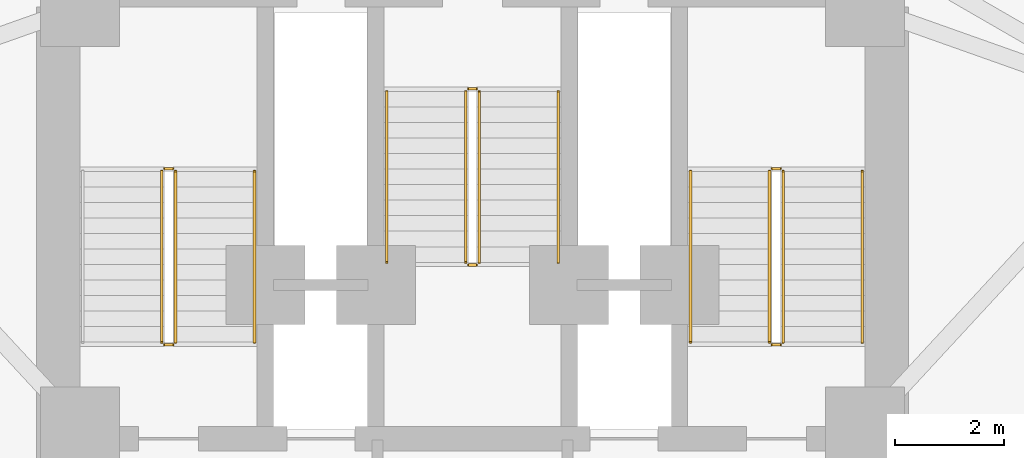
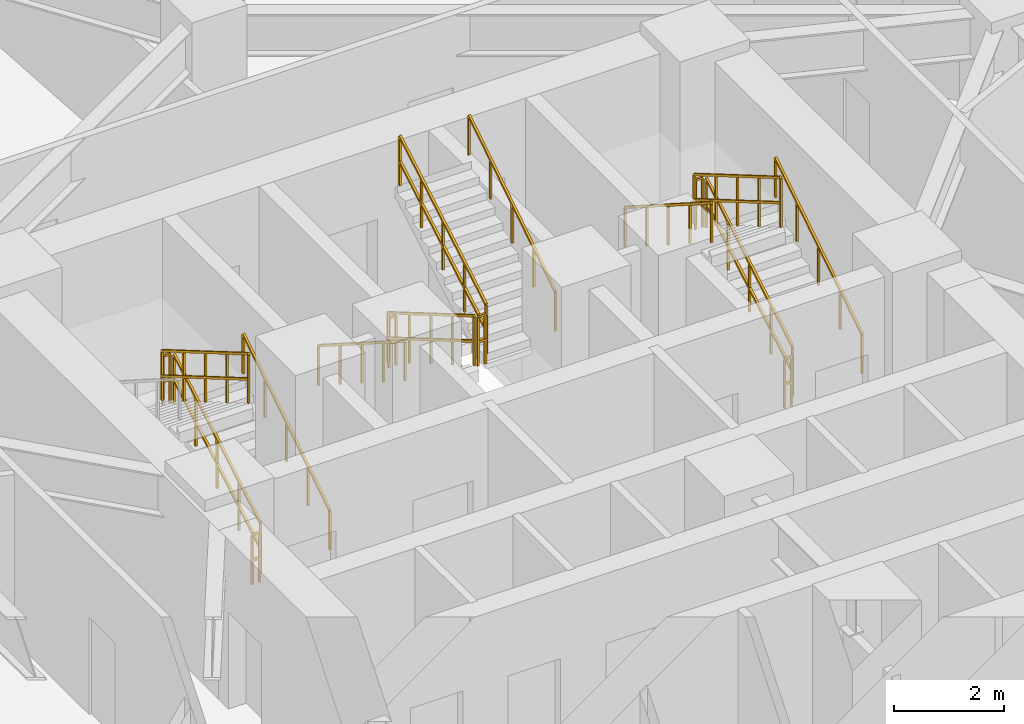
# One storey, part 9 of 10: 17 railings.
"""IFC4 building model written with IfcOpenShell, lengths in metres."""

from ifc_helpers import new_model, si_unit, direction, frame, origin, origin_2d, place, context, subcontext, project, spatial, rectangle, extrude, material, type_object, element, save


model = new_model("IFC4")

# Units and contexts
model_context = context("Model", 3, precision=1e-05, world=origin(), true_north=direction((0.0, 1.0)))
body_context = subcontext(model_context, "Body", "Model", "MODEL_VIEW")
ifc_project = project(units=[si_unit("LENGTHUNIT", "METRE"), si_unit("AREAUNIT", "SQUARE_METRE"), si_unit("VOLUMEUNIT", "CUBIC_METRE"), si_unit("PLANEANGLEUNIT", "RADIAN"), si_unit("MASSUNIT", "GRAM", prefix="KILO")], contexts=[model_context])

# Site, building, storey
site_placement = place(None, origin())
site = spatial("IfcSite", under=ifc_project, at=site_placement, CompositionType="ELEMENT")
building_placement = place(site_placement, origin())
building = spatial("IfcBuilding", under=site, at=building_placement, Name="Apsidion Concourse Tower", CompositionType="ELEMENT")
storey_placement = place(building_placement, frame((0.0, 0.0, 115.0)))
storey = spatial("IfcBuildingStorey", under=building, at=storey_placement, Name="L26", CompositionType="ELEMENT", Elevation=115.0)

# Railings
ifc_material = material(Name="Brushed stainless steel 316", Category="steel")
railing_type_1 = type_object("IfcRailingType", Name="RL-GUARD-1100", PredefinedType="GUARDRAIL", material=ifc_material)
railing_1_placement = place(storey_placement, frame((-5.449951171875, 3.0, 0.166748046875)))
element("IfcRailing", 1, at=railing_1_placement, inside=storey, type_object=railing_type_1, Name="L26 ST1 stair guard 1", PredefinedType="GUARDRAIL", context=body_context, shape_type="SweptSolid", body=[
    extrude(rectangle(XDim=0.048095703125, YDim=0.048095703125, at=origin_2d()), frame((0.0, 0.0, 1.09619140625), z_axis=(0.0, 0.863239559939, 0.504794475164), x_axis=(-1.0, 0.0, 0.0)), (0.0, 0.0, 1.0), 3.631591796875),
    extrude(rectangle(XDim=0.048095703125, YDim=0.048095703125, at=origin_2d()), frame((0.0, 0.0, 0.5361328125), z_axis=(0.0, 0.863239559939, 0.504794475164), x_axis=(-1.0, 0.0, 0.0)), (0.0, 0.0, 1.0), 3.631591796875),
    extrude(rectangle(XDim=0.0419921875, YDim=0.0419921875, at=origin_2d()), origin(), (0.0, 0.0, 1.0), 1.072021484375),
    extrude(rectangle(XDim=0.0419921875, YDim=0.0419921875, at=origin_2d()), frame((0.0, 0.78369140625, 0.458251953125)), (0.0, 0.0, 1.0), 1.072021484375),
    extrude(rectangle(XDim=0.0419921875, YDim=0.0419921875, at=origin_2d()), frame((0.0, 1.5673828125, 0.91650390625)), (0.0, 0.0, 1.0), 1.072021484375),
    extrude(rectangle(XDim=0.0419921875, YDim=0.0419921875, at=origin_2d()), frame((0.0, 2.351318359375, 1.375)), (0.0, 0.0, 1.0), 1.072021484375),
    extrude(rectangle(XDim=0.0419921875, YDim=0.0419921875, at=origin_2d()), frame((0.0, 3.135009765625, 1.833251953125)), (0.0, 0.0, 1.0), 1.072021484375),
])
railing_2_placement = place(storey_placement, frame((-5.5, 6.18505859375, 2.0)))
element("IfcRailing", 2, at=railing_2_placement, inside=storey, type_object=railing_type_1, Name="L26 ST1 stair guard 2", PredefinedType="GUARDRAIL", context=body_context, shape_type="SweptSolid", body=[
    extrude(rectangle(XDim=0.048095703125, YDim=0.048095703125, at=origin_2d()), frame((0.0, 0.0, 1.09619140625), z_axis=(-1.0, 0.0, 0.0), x_axis=(0.0, -1.0, 0.0)), (0.0, 0.0, 1.0), 0.14990234375),
    extrude(rectangle(XDim=0.048095703125, YDim=0.048095703125, at=origin_2d()), frame((0.0, 0.0, 0.5361328125), z_axis=(-1.0, 0.0, 0.0), x_axis=(0.0, -1.0, 0.0)), (0.0, 0.0, 1.0), 0.14990234375),
    extrude(rectangle(XDim=0.0419921875, YDim=0.0419921875, at=origin_2d()), origin(), (0.0, 0.0, 1.0), 1.072021484375),
    extrude(rectangle(XDim=0.0419921875, YDim=0.0419921875, at=origin_2d()), frame((-0.14990234375, 0.0, 0.0)), (0.0, 0.0, 1.0), 1.072021484375),
])
railing_3_placement = place(storey_placement, frame((-5.699951171875, 6.135009765625, 2.166748046875)))
element("IfcRailing", 3, at=railing_3_placement, inside=storey, type_object=railing_type_1, Name="L26 ST1 stair guard 3", PredefinedType="GUARDRAIL", context=body_context, shape_type="SweptSolid", body=[
    extrude(rectangle(XDim=0.048095703125, YDim=0.048095703125, at=origin_2d()), frame((0.0, 0.0, 1.09619140625), z_axis=(0.0, -0.863239559939, 0.504794475164), x_axis=(1.0, 0.0, 0.0)), (0.0, 0.0, 1.0), 3.631591796875),
    extrude(rectangle(XDim=0.048095703125, YDim=0.048095703125, at=origin_2d()), frame((0.0, 0.0, 0.5361328125), z_axis=(0.0, -0.863239559939, 0.504794475164), x_axis=(1.0, 0.0, 0.0)), (0.0, 0.0, 1.0), 3.631591796875),
    extrude(rectangle(XDim=0.0419921875, YDim=0.0419921875, at=origin_2d()), origin(), (0.0, 0.0, 1.0), 1.072021484375),
    extrude(rectangle(XDim=0.0419921875, YDim=0.0419921875, at=origin_2d()), frame((0.0, -0.78369140625, 0.458251953125)), (0.0, 0.0, 1.0), 1.072021484375),
    extrude(rectangle(XDim=0.0419921875, YDim=0.0419921875, at=origin_2d()), frame((0.0, -1.5673828125, 0.91650390625)), (0.0, 0.0, 1.0), 1.072021484375),
    extrude(rectangle(XDim=0.0419921875, YDim=0.0419921875, at=origin_2d()), frame((0.0, -2.351318359375, 1.375)), (0.0, 0.0, 1.0), 1.072021484375),
    extrude(rectangle(XDim=0.0419921875, YDim=0.0419921875, at=origin_2d()), frame((0.0, -3.135009765625, 1.833251953125)), (0.0, 0.0, 1.0), 1.072021484375),
])
railing_4_placement = place(storey_placement, frame((-5.5, 2.949951171875, 0.0)))
element("IfcRailing", 4, at=railing_4_placement, inside=storey, type_object=railing_type_1, Name="L26 ST1 stair guard 4", PredefinedType="GUARDRAIL", context=body_context, shape_type="SweptSolid", body=[
    extrude(rectangle(XDim=0.048095703125, YDim=0.048095703125, at=origin_2d()), frame((0.0, 0.0, 1.09619140625), z_axis=(-1.0, 0.0, 0.0), x_axis=(0.0, -1.0, 0.0)), (0.0, 0.0, 1.0), 0.14990234375),
    extrude(rectangle(XDim=0.048095703125, YDim=0.048095703125, at=origin_2d()), frame((0.0, 0.0, 0.5361328125), z_axis=(-1.0, 0.0, 0.0), x_axis=(0.0, -1.0, 0.0)), (0.0, 0.0, 1.0), 0.14990234375),
    extrude(rectangle(XDim=0.0419921875, YDim=0.0419921875, at=origin_2d()), origin(), (0.0, 0.0, 1.0), 1.072021484375),
    extrude(rectangle(XDim=0.0419921875, YDim=0.0419921875, at=origin_2d()), frame((-0.14990234375, 0.0, 0.0)), (0.0, 0.0, 1.0), 1.072021484375),
])
railing_5_placement = place(storey_placement, frame((5.699951171875, 3.0, 0.166748046875)))
element("IfcRailing", 5, at=railing_5_placement, inside=storey, type_object=railing_type_1, Name="L26 ST2 stair guard 1", PredefinedType="GUARDRAIL", context=body_context, shape_type="SweptSolid", body=[
    extrude(rectangle(XDim=0.048095703125, YDim=0.048095703125, at=origin_2d()), frame((0.0, 0.0, 1.09619140625), z_axis=(0.0, 0.863239559939, 0.504794475164), x_axis=(-1.0, 0.0, 0.0)), (0.0, 0.0, 1.0), 3.631591796875),
    extrude(rectangle(XDim=0.048095703125, YDim=0.048095703125, at=origin_2d()), frame((0.0, 0.0, 0.5361328125), z_axis=(0.0, 0.863239559939, 0.504794475164), x_axis=(-1.0, 0.0, 0.0)), (0.0, 0.0, 1.0), 3.631591796875),
    extrude(rectangle(XDim=0.0419921875, YDim=0.0419921875, at=origin_2d()), origin(), (0.0, 0.0, 1.0), 1.072021484375),
    extrude(rectangle(XDim=0.0419921875, YDim=0.0419921875, at=origin_2d()), frame((0.0, 0.78369140625, 0.458251953125)), (0.0, 0.0, 1.0), 1.072021484375),
    extrude(rectangle(XDim=0.0419921875, YDim=0.0419921875, at=origin_2d()), frame((0.0, 1.5673828125, 0.91650390625)), (0.0, 0.0, 1.0), 1.072021484375),
    extrude(rectangle(XDim=0.0419921875, YDim=0.0419921875, at=origin_2d()), frame((0.0, 2.351318359375, 1.375)), (0.0, 0.0, 1.0), 1.072021484375),
    extrude(rectangle(XDim=0.0419921875, YDim=0.0419921875, at=origin_2d()), frame((0.0, 3.135009765625, 1.833251953125)), (0.0, 0.0, 1.0), 1.072021484375),
])
railing_6_placement = place(storey_placement, frame((5.64990234375, 6.18505859375, 2.0)))
element("IfcRailing", 6, at=railing_6_placement, inside=storey, type_object=railing_type_1, Name="L26 ST2 stair guard 2", PredefinedType="GUARDRAIL", context=body_context, shape_type="SweptSolid", body=[
    extrude(rectangle(XDim=0.048095703125, YDim=0.048095703125, at=origin_2d()), frame((0.0, 0.0, 1.09619140625), z_axis=(-1.0, 0.0, 0.0), x_axis=(0.0, -1.0, 0.0)), (0.0, 0.0, 1.0), 0.14990234375),
    extrude(rectangle(XDim=0.048095703125, YDim=0.048095703125, at=origin_2d()), frame((0.0, 0.0, 0.5361328125), z_axis=(-1.0, 0.0, 0.0), x_axis=(0.0, -1.0, 0.0)), (0.0, 0.0, 1.0), 0.14990234375),
    extrude(rectangle(XDim=0.0419921875, YDim=0.0419921875, at=origin_2d()), origin(), (0.0, 0.0, 1.0), 1.072021484375),
    extrude(rectangle(XDim=0.0419921875, YDim=0.0419921875, at=origin_2d()), frame((-0.14990234375, 0.0, 0.0)), (0.0, 0.0, 1.0), 1.072021484375),
])
railing_7_placement = place(storey_placement, frame((5.449951171875, 6.135009765625, 2.166748046875)))
element("IfcRailing", 7, at=railing_7_placement, inside=storey, type_object=railing_type_1, Name="L26 ST2 stair guard 3", PredefinedType="GUARDRAIL", context=body_context, shape_type="SweptSolid", body=[
    extrude(rectangle(XDim=0.048095703125, YDim=0.048095703125, at=origin_2d()), frame((0.0, 0.0, 1.09619140625), z_axis=(0.0, -0.863239559939, 0.504794475164), x_axis=(1.0, 0.0, 0.0)), (0.0, 0.0, 1.0), 3.631591796875),
    extrude(rectangle(XDim=0.048095703125, YDim=0.048095703125, at=origin_2d()), frame((0.0, 0.0, 0.5361328125), z_axis=(0.0, -0.863239559939, 0.504794475164), x_axis=(1.0, 0.0, 0.0)), (0.0, 0.0, 1.0), 3.631591796875),
    extrude(rectangle(XDim=0.0419921875, YDim=0.0419921875, at=origin_2d()), origin(), (0.0, 0.0, 1.0), 1.072021484375),
    extrude(rectangle(XDim=0.0419921875, YDim=0.0419921875, at=origin_2d()), frame((0.0, -0.78369140625, 0.458251953125)), (0.0, 0.0, 1.0), 1.072021484375),
    extrude(rectangle(XDim=0.0419921875, YDim=0.0419921875, at=origin_2d()), frame((0.0, -1.5673828125, 0.91650390625)), (0.0, 0.0, 1.0), 1.072021484375),
    extrude(rectangle(XDim=0.0419921875, YDim=0.0419921875, at=origin_2d()), frame((0.0, -2.351318359375, 1.375)), (0.0, 0.0, 1.0), 1.072021484375),
    extrude(rectangle(XDim=0.0419921875, YDim=0.0419921875, at=origin_2d()), frame((0.0, -3.135009765625, 1.833251953125)), (0.0, 0.0, 1.0), 1.072021484375),
])
railing_8_placement = place(storey_placement, frame((5.64990234375, 2.949951171875, 0.0)))
element("IfcRailing", 8, at=railing_8_placement, inside=storey, type_object=railing_type_1, Name="L26 ST2 stair guard 4", PredefinedType="GUARDRAIL", context=body_context, shape_type="SweptSolid", body=[
    extrude(rectangle(XDim=0.048095703125, YDim=0.048095703125, at=origin_2d()), frame((0.0, 0.0, 1.09619140625), z_axis=(-1.0, 0.0, 0.0), x_axis=(0.0, -1.0, 0.0)), (0.0, 0.0, 1.0), 0.14990234375),
    extrude(rectangle(XDim=0.048095703125, YDim=0.048095703125, at=origin_2d()), frame((0.0, 0.0, 0.5361328125), z_axis=(-1.0, 0.0, 0.0), x_axis=(0.0, -1.0, 0.0)), (0.0, 0.0, 1.0), 0.14990234375),
    extrude(rectangle(XDim=0.0419921875, YDim=0.0419921875, at=origin_2d()), origin(), (0.0, 0.0, 1.0), 1.072021484375),
    extrude(rectangle(XDim=0.0419921875, YDim=0.0419921875, at=origin_2d()), frame((-0.14990234375, 0.0, 0.0)), (0.0, 0.0, 1.0), 1.072021484375),
])
railing_9_placement = place(storey_placement, frame((-0.125, 7.60009765625, 0.166748046875)))
element("IfcRailing", 9, at=railing_9_placement, inside=storey, type_object=railing_type_1, Name="L26 ST3 stair guard 1", PredefinedType="GUARDRAIL", context=body_context, shape_type="SweptSolid", body=[
    extrude(rectangle(XDim=0.048095703125, YDim=0.048095703125, at=origin_2d()), frame((0.0, 0.0, 1.09619140625), z_axis=(0.0, -0.863239559939, 0.504794475164), x_axis=(1.0, 0.0, 0.0)), (0.0, 0.0, 1.0), 3.631591796875),
    extrude(rectangle(XDim=0.048095703125, YDim=0.048095703125, at=origin_2d()), frame((0.0, 0.0, 0.5361328125), z_axis=(0.0, -0.863239559939, 0.504794475164), x_axis=(1.0, 0.0, 0.0)), (0.0, 0.0, 1.0), 3.631591796875),
    extrude(rectangle(XDim=0.0419921875, YDim=0.0419921875, at=origin_2d()), origin(), (0.0, 0.0, 1.0), 1.072021484375),
    extrude(rectangle(XDim=0.0419921875, YDim=0.0419921875, at=origin_2d()), frame((0.0, -0.78369140625, 0.458251953125)), (0.0, 0.0, 1.0), 1.072021484375),
    extrude(rectangle(XDim=0.0419921875, YDim=0.0419921875, at=origin_2d()), frame((0.0, -1.5673828125, 0.91650390625)), (0.0, 0.0, 1.0), 1.072021484375),
    extrude(rectangle(XDim=0.0419921875, YDim=0.0419921875, at=origin_2d()), frame((0.0, -2.351318359375, 1.375)), (0.0, 0.0, 1.0), 1.072021484375),
    extrude(rectangle(XDim=0.0419921875, YDim=0.0419921875, at=origin_2d()), frame((0.0, -3.135009765625, 1.833251953125)), (0.0, 0.0, 1.0), 1.072021484375),
])
railing_10_placement = place(storey_placement, frame((-0.074951171875, 4.4150390625, 2.0)))
element("IfcRailing", 10, at=railing_10_placement, inside=storey, type_object=railing_type_1, Name="L26 ST3 stair guard 2", PredefinedType="GUARDRAIL", context=body_context, shape_type="SweptSolid", body=[
    extrude(rectangle(XDim=0.048095703125, YDim=0.048095703125, at=origin_2d()), frame((0.0, 0.0, 1.09619140625), z_axis=(1.0, 0.0, 0.0), x_axis=(0.0, 1.0, 0.0)), (0.0, 0.0, 1.0), 0.14990234375),
    extrude(rectangle(XDim=0.048095703125, YDim=0.048095703125, at=origin_2d()), frame((0.0, 0.0, 0.5361328125), z_axis=(1.0, 0.0, 0.0), x_axis=(0.0, 1.0, 0.0)), (0.0, 0.0, 1.0), 0.14990234375),
    extrude(rectangle(XDim=0.0419921875, YDim=0.0419921875, at=origin_2d()), origin(), (0.0, 0.0, 1.0), 1.072021484375),
    extrude(rectangle(XDim=0.0419921875, YDim=0.0419921875, at=origin_2d()), frame((0.14990234375, 0.0, 0.0)), (0.0, 0.0, 1.0), 1.072021484375),
])
railing_11_placement = place(storey_placement, frame((0.125, 4.465087890625, 2.166748046875)))
element("IfcRailing", 11, at=railing_11_placement, inside=storey, type_object=railing_type_1, Name="L26 ST3 stair guard 3", PredefinedType="GUARDRAIL", context=body_context, shape_type="SweptSolid", body=[
    extrude(rectangle(XDim=0.048095703125, YDim=0.048095703125, at=origin_2d()), frame((0.0, 0.0, 1.09619140625), z_axis=(0.0, 0.863239559939, 0.504794475164), x_axis=(-1.0, 0.0, 0.0)), (0.0, 0.0, 1.0), 3.631591796875),
    extrude(rectangle(XDim=0.048095703125, YDim=0.048095703125, at=origin_2d()), frame((0.0, 0.0, 0.5361328125), z_axis=(0.0, 0.863239559939, 0.504794475164), x_axis=(-1.0, 0.0, 0.0)), (0.0, 0.0, 1.0), 3.631591796875),
    extrude(rectangle(XDim=0.0419921875, YDim=0.0419921875, at=origin_2d()), origin(), (0.0, 0.0, 1.0), 1.072021484375),
    extrude(rectangle(XDim=0.0419921875, YDim=0.0419921875, at=origin_2d()), frame((0.0, 0.78369140625, 0.458251953125)), (0.0, 0.0, 1.0), 1.072021484375),
    extrude(rectangle(XDim=0.0419921875, YDim=0.0419921875, at=origin_2d()), frame((0.0, 1.5673828125, 0.91650390625)), (0.0, 0.0, 1.0), 1.072021484375),
    extrude(rectangle(XDim=0.0419921875, YDim=0.0419921875, at=origin_2d()), frame((0.0, 2.351318359375, 1.375)), (0.0, 0.0, 1.0), 1.072021484375),
    extrude(rectangle(XDim=0.0419921875, YDim=0.0419921875, at=origin_2d()), frame((0.0, 3.135009765625, 1.833251953125)), (0.0, 0.0, 1.0), 1.072021484375),
])
railing_12_placement = place(storey_placement, frame((-0.074951171875, 7.64990234375, 0.0)))
element("IfcRailing", 12, at=railing_12_placement, inside=storey, type_object=railing_type_1, Name="L26 ST3 stair guard 4", PredefinedType="GUARDRAIL", context=body_context, shape_type="SweptSolid", body=[
    extrude(rectangle(XDim=0.048095703125, YDim=0.048095703125, at=origin_2d()), frame((0.0, 0.0, 1.09619140625), z_axis=(1.0, 0.0, 0.0), x_axis=(0.0, 1.0, 0.0)), (0.0, 0.0, 1.0), 0.14990234375),
    extrude(rectangle(XDim=0.048095703125, YDim=0.048095703125, at=origin_2d()), frame((0.0, 0.0, 0.5361328125), z_axis=(1.0, 0.0, 0.0), x_axis=(0.0, 1.0, 0.0)), (0.0, 0.0, 1.0), 0.14990234375),
    extrude(rectangle(XDim=0.0419921875, YDim=0.0419921875, at=origin_2d()), origin(), (0.0, 0.0, 1.0), 1.072021484375),
    extrude(rectangle(XDim=0.0419921875, YDim=0.0419921875, at=origin_2d()), frame((0.14990234375, 0.0, 0.0)), (0.0, 0.0, 1.0), 1.072021484375),
])
railing_type_2 = type_object("IfcRailingType", Name="RL-HAND-900", PredefinedType="HANDRAIL", material=ifc_material)
for number, where, name in (
    (13, (-4.0, 3.0, 0.166748046875), "L26 ST1 stair handrail 1"),
    (14, (7.14990234375, 3.0, 0.166748046875), "L26 ST2 stair handrail 1"),
):
    element("IfcRailing", number, at=place(storey_placement, frame(where)), inside=storey, type_object=railing_type_2, Name=name, PredefinedType="HANDRAIL", context=body_context, shape_type="SweptSolid", body=[
        extrude(rectangle(XDim=0.048095703125, YDim=0.048095703125, at=origin_2d()), frame((0.0, 0.0, 0.8759765625), z_axis=(0.0, 0.843052688722, 0.537830980921), x_axis=(-1.0, 0.0, 0.0)), (0.0, 0.0, 1.0), 3.71875),
        extrude(rectangle(XDim=0.0419921875, YDim=0.0419921875, at=origin_2d()), origin(), (0.0, 0.0, 1.0), 0.851806640625),
        extrude(rectangle(XDim=0.0419921875, YDim=0.0419921875, at=origin_2d()), frame((0.0, 0.78369140625, 0.5)), (0.0, 0.0, 1.0), 0.851806640625),
        extrude(rectangle(XDim=0.0419921875, YDim=0.0419921875, at=origin_2d()), frame((0.0, 1.5673828125, 1.0)), (0.0, 0.0, 1.0), 0.851806640625),
        extrude(rectangle(XDim=0.0419921875, YDim=0.0419921875, at=origin_2d()), frame((0.0, 2.351318359375, 1.5)), (0.0, 0.0, 1.0), 0.851806640625),
        extrude(rectangle(XDim=0.0419921875, YDim=0.0419921875, at=origin_2d()), frame((0.0, 3.135009765625, 2.0)), (0.0, 0.0, 1.0), 0.851806640625),
    ])
for number, where, name in (
    (15, (4.0, 6.135009765625, 2.166748046875), "L26 ST2 stair handrail 2"),
    (16, (-1.574951171875, 7.60009765625, 0.166748046875), "L26 ST3 stair handrail 1"),
):
    element("IfcRailing", number, at=place(storey_placement, frame(where)), inside=storey, type_object=railing_type_2, Name=name, PredefinedType="HANDRAIL", context=body_context, shape_type="SweptSolid", body=[
        extrude(rectangle(XDim=0.048095703125, YDim=0.048095703125, at=origin_2d()), frame((0.0, 0.0, 0.8759765625), z_axis=(0.0, -0.843052688722, 0.537830980921), x_axis=(1.0, 0.0, 0.0)), (0.0, 0.0, 1.0), 3.71875),
        extrude(rectangle(XDim=0.0419921875, YDim=0.0419921875, at=origin_2d()), origin(), (0.0, 0.0, 1.0), 0.851806640625),
        extrude(rectangle(XDim=0.0419921875, YDim=0.0419921875, at=origin_2d()), frame((0.0, -0.78369140625, 0.5)), (0.0, 0.0, 1.0), 0.851806640625),
        extrude(rectangle(XDim=0.0419921875, YDim=0.0419921875, at=origin_2d()), frame((0.0, -1.5673828125, 1.0)), (0.0, 0.0, 1.0), 0.851806640625),
        extrude(rectangle(XDim=0.0419921875, YDim=0.0419921875, at=origin_2d()), frame((0.0, -2.351318359375, 1.5)), (0.0, 0.0, 1.0), 0.851806640625),
        extrude(rectangle(XDim=0.0419921875, YDim=0.0419921875, at=origin_2d()), frame((0.0, -3.135009765625, 2.0)), (0.0, 0.0, 1.0), 0.851806640625),
    ])
railing_13_placement = place(storey_placement, frame((1.574951171875, 4.465087890625, 2.166748046875)))
element("IfcRailing", 17, at=railing_13_placement, inside=storey, type_object=railing_type_2, Name="L26 ST3 stair handrail 2", PredefinedType="HANDRAIL", context=body_context, shape_type="SweptSolid", body=[
    extrude(rectangle(XDim=0.048095703125, YDim=0.048095703125, at=origin_2d()), frame((0.0, 0.0, 0.8759765625), z_axis=(0.0, 0.843052688722, 0.537830980921), x_axis=(-1.0, 0.0, 0.0)), (0.0, 0.0, 1.0), 3.71875),
    extrude(rectangle(XDim=0.0419921875, YDim=0.0419921875, at=origin_2d()), origin(), (0.0, 0.0, 1.0), 0.851806640625),
    extrude(rectangle(XDim=0.0419921875, YDim=0.0419921875, at=origin_2d()), frame((0.0, 0.78369140625, 0.5)), (0.0, 0.0, 1.0), 0.851806640625),
    extrude(rectangle(XDim=0.0419921875, YDim=0.0419921875, at=origin_2d()), frame((0.0, 1.5673828125, 1.0)), (0.0, 0.0, 1.0), 0.851806640625),
    extrude(rectangle(XDim=0.0419921875, YDim=0.0419921875, at=origin_2d()), frame((0.0, 2.351318359375, 1.5)), (0.0, 0.0, 1.0), 0.851806640625),
    extrude(rectangle(XDim=0.0419921875, YDim=0.0419921875, at=origin_2d()), frame((0.0, 3.135009765625, 2.0)), (0.0, 0.0, 1.0), 0.851806640625),
])

save(model, "model.ifc")
